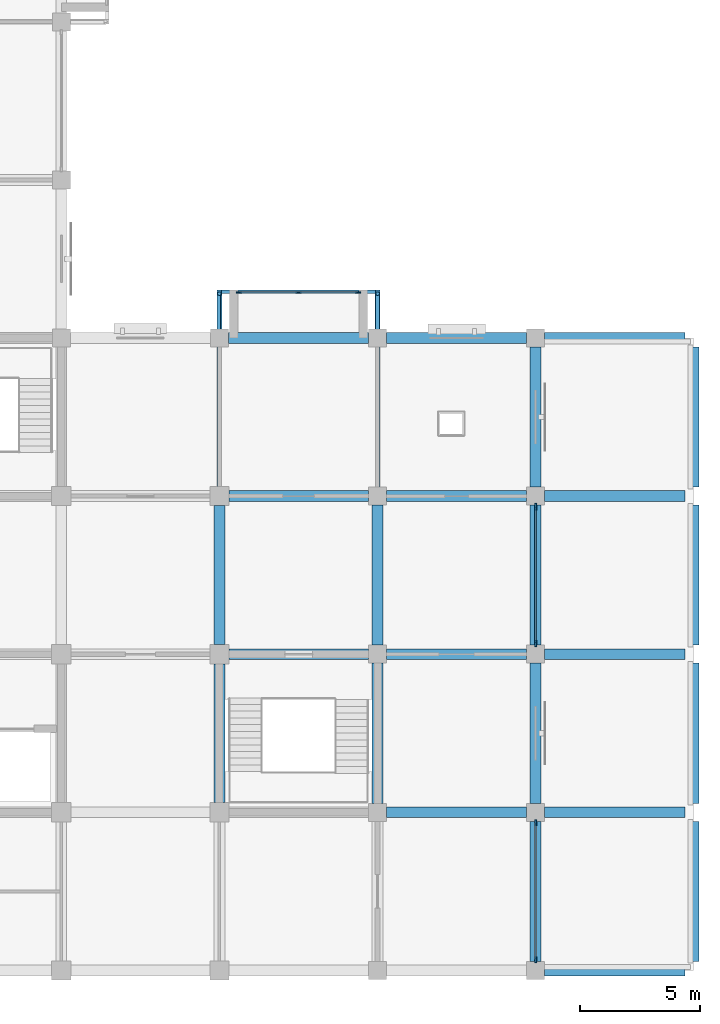
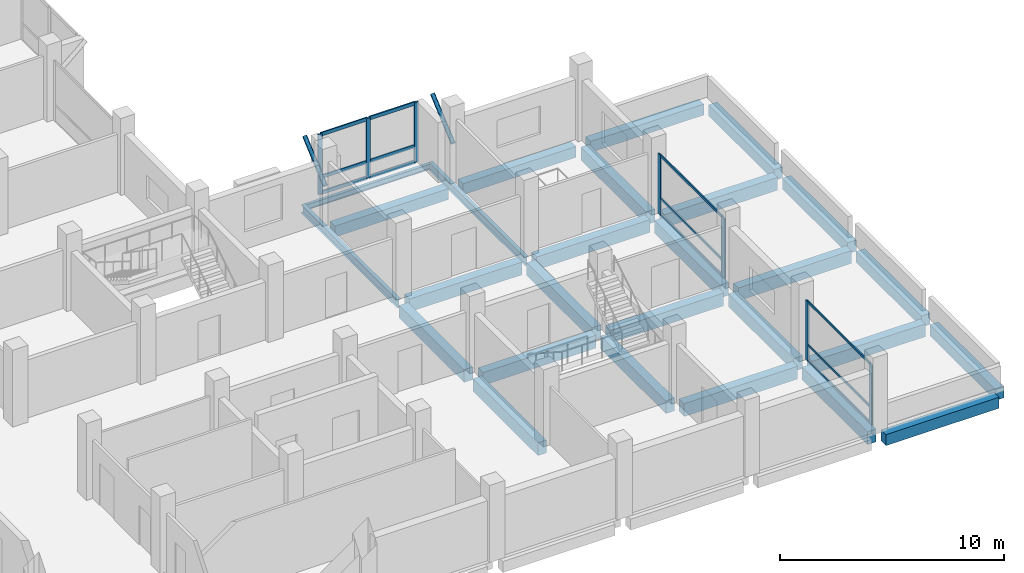
# One storey, part 2 of 15: 27 beams, 21 members, 3 elements without a shape of their own.
"""IFC4 building model written with IfcOpenShell, lengths in metres."""

from ifc_helpers import new_model, si_unit, direction, frame, origin, origin_2d, place, context, subcontext, project, spatial, rectangle, hollow_circle, i_section, extrude, material, material_profile, profile_set, type_object, element, aggregate, save


model = new_model("IFC4")

# Units and contexts
model_context = context("Model", 3, precision=1e-05, world=origin(), true_north=direction((0.0, 1.0)))
body_context = subcontext(model_context, "Body", "Model", "MODEL_VIEW")
ifc_project = project(units=[si_unit("LENGTHUNIT", "METRE"), si_unit("AREAUNIT", "SQUARE_METRE"), si_unit("VOLUMEUNIT", "CUBIC_METRE"), si_unit("PLANEANGLEUNIT", "RADIAN"), si_unit("MASSUNIT", "GRAM", prefix="KILO")], contexts=[model_context])

# Site, building, storey
site_placement = place(None, origin())
site = spatial("IfcSite", under=ifc_project, at=site_placement, CompositionType="ELEMENT")
building_placement = place(site_placement, origin())
building = spatial("IfcBuilding", under=site, at=building_placement, Name="Rusizi Kubbe Research Institute", CompositionType="ELEMENT")
storey_placement = place(building_placement, frame((0.0, 0.0, 27.0)))
storey = spatial("IfcBuildingStorey", under=building, at=storey_placement, Name="L06", CompositionType="ELEMENT", Elevation=27.0)

# Beams
ifc_material_1 = material(Name="Steel S355", Category="steel")
ifc_material_profile_1 = material_profile(ifc_material_1, i_section(OverallWidth=0.14990234375, OverallDepth=0.300048828125, WebThickness=0.007080078125, FlangeThickness=0.0107421875, at=origin_2d()), Name="IPE 300")
ifc_profile_set_1 = profile_set([ifc_material_profile_1], Name="Steel S355")
beam_type_1 = type_object("IfcBeamType", Name="BM-IPE300", PredefinedType="BEAM", material=ifc_profile_set_1)
beam_1_placement = place(storey_placement, frame((33.094970703125, 28.324951171875, -0.47998046875), z_axis=(1.0, 0.0, 0.0), x_axis=(0.0, 1.0, 0.0)))
element("IfcBeam", 1, at=beam_1_placement, inside=storey, type_object=beam_type_1, Name="Cumba Edge Tie Beam L06-3", PredefinedType="BEAM", context=body_context, shape_type="SweptSolid", body=[
    extrude(i_section(OverallWidth=0.14990234375, OverallDepth=0.300048828125, WebThickness=0.007080078125, FlangeThickness=0.0107421875, at=origin_2d()), origin(), (0.0, 0.0, 1.0), 6.409912109375),
])
ifc_material_2 = material(Name="Steel S355", Category="steel")
ifc_material_profile_2 = material_profile(ifc_material_2, i_section(OverallWidth=0.18994140625, OverallDepth=0.449951171875, WebThickness=0.009521484375, FlangeThickness=0.0146484375, at=origin_2d()), Name="IPE 450")
ifc_profile_set_2 = profile_set([ifc_material_profile_2], Name="Steel S355")
beam_type_2 = type_object("IfcBeamType", Name="BM-IPE450", PredefinedType="BEAM", material=ifc_profile_set_2)
for number, where, z_axis, x_axis, name in (
    (2, (33.0, 19.800048828125, -0.554931640625), (0.0, 1.0, 0.0), (-1.0, 0.0, 0.0), "Cumba Back-Spanned Cantilever Beam L06-3W"),
    (3, (39.60009765625, 19.800048828125, -0.554931640625), (0.0, 1.0, 0.0), (-1.0, 0.0, 0.0), "Cumba Back-Spanned Cantilever Beam L06-3E"),
):
    element("IfcBeam", number, at=place(storey_placement, frame(where, z_axis=z_axis, x_axis=x_axis)), inside=storey, type_object=beam_type_2, Name=name, PredefinedType="BEAM", context=body_context, shape_type="SweptSolid", body=[
        extrude(i_section(OverallWidth=0.18994140625, OverallDepth=0.449951171875, WebThickness=0.009521484375, FlangeThickness=0.0146484375, at=origin_2d()), origin(), (0.0, 0.0, 1.0), 8.599853515625),
    ])
ifc_material_3 = material(Name="Concrete C40/50", Category="concrete")
ifc_material_profile_3 = material_profile(ifc_material_3, rectangle(XDim=0.449951171875, YDim=0.60009765625, at=origin_2d()), Name="RC450x600")
ifc_profile_set_3 = profile_set([ifc_material_profile_3], Name="Concrete C40/50")
beam_type_3 = type_object("IfcBeamType", Name="BM-RC450x600", PredefinedType="SPANDREL", material=ifc_profile_set_3)
beam_2_placement = place(storey_placement, frame((33.375, 26.39990234375, -0.6298828125), z_axis=(1.0, 0.0, 0.0), x_axis=(0.0, 1.0, 0.0)))
element("IfcBeam", 4, at=beam_2_placement, inside=storey, type_object=beam_type_3, Name="Grid Beam H L06 (5,4)", PredefinedType="SPANDREL", context=body_context, shape_type="SweptSolid", body=[
    extrude(rectangle(XDim=0.449951171875, YDim=0.60009765625, at=origin_2d()), origin(), (0.0, 0.0, 1.0), 5.85009765625),
])
beam_3_placement = place(storey_placement, frame((39.97509765625, 26.39990234375, -0.6298828125), z_axis=(1.0, 0.0, 0.0), x_axis=(0.0, 1.0, 0.0)))
element("IfcBeam", 5, at=beam_3_placement, inside=storey, type_object=beam_type_3, Name="Grid Beam H L06 (6,4)", PredefinedType="SPANDREL", context=body_context, shape_type="SweptSolid", body=[
    extrude(rectangle(XDim=0.449951171875, YDim=0.60009765625, at=origin_2d()), origin(), (0.0, 0.0, 1.0), 5.849853515625),
])
for number, where, z_axis, x_axis, name in (
    (6, (46.574951171875, 0.0, -0.6298828125), (1.0, 0.0, 0.0), (0.0, 1.0, 0.0), "Grid Beam H L06 (7,0)"),
    (7, (46.574951171875, 26.39990234375, -0.6298828125), (1.0, 0.0, 0.0), (0.0, 1.0, 0.0), "Grid Beam H L06 (7,4)"),
    (8, (52.800048828125, 0.375, -0.6298828125), (0.0, 1.0, 0.0), (-1.0, 0.0, 0.0), "Grid Beam V L06 (8,0)"),
):
    element("IfcBeam", number, at=place(storey_placement, frame(where, z_axis=z_axis, x_axis=x_axis)), inside=storey, type_object=beam_type_3, Name=name, PredefinedType="SPANDREL", context=body_context, shape_type="SweptSolid", body=[
        extrude(rectangle(XDim=0.449951171875, YDim=0.60009765625, at=origin_2d()), origin(), (0.0, 0.0, 1.0), 5.85009765625),
    ])
beam_4_placement = place(storey_placement, frame((52.800048828125, 6.97509765625, -0.6298828125), z_axis=(0.0, 1.0, 0.0), x_axis=(-1.0, 0.0, 0.0)))
element("IfcBeam", 9, at=beam_4_placement, inside=storey, type_object=beam_type_3, Name="Grid Beam V L06 (8,1)", PredefinedType="SPANDREL", context=body_context, shape_type="SweptSolid", body=[
    extrude(rectangle(XDim=0.449951171875, YDim=0.60009765625, at=origin_2d()), origin(), (0.0, 0.0, 1.0), 5.849853515625),
])
beam_5_placement = place(storey_placement, frame((52.800048828125, 13.574951171875, -0.6298828125), z_axis=(0.0, 1.0, 0.0), x_axis=(-1.0, 0.0, 0.0)))
element("IfcBeam", 10, at=beam_5_placement, inside=storey, type_object=beam_type_3, Name="Grid Beam V L06 (8,2)", PredefinedType="SPANDREL", context=body_context, shape_type="SweptSolid", body=[
    extrude(rectangle(XDim=0.449951171875, YDim=0.60009765625, at=origin_2d()), origin(), (0.0, 0.0, 1.0), 5.85009765625),
])
beam_6_placement = place(storey_placement, frame((52.800048828125, 20.175048828125, -0.6298828125), z_axis=(0.0, 1.0, 0.0), x_axis=(-1.0, 0.0, 0.0)))
element("IfcBeam", 11, at=beam_6_placement, inside=storey, type_object=beam_type_3, Name="Grid Beam V L06 (8,3)", PredefinedType="SPANDREL", context=body_context, shape_type="SweptSolid", body=[
    extrude(rectangle(XDim=0.449951171875, YDim=0.60009765625, at=origin_2d()), origin(), (0.0, 0.0, 1.0), 5.849853515625),
])
ifc_material_4 = material(Name="Concrete C40/50", Category="concrete")
ifc_material_profile_4 = material_profile(ifc_material_4, rectangle(XDim=0.449951171875, YDim=0.699951171875, at=origin_2d()), Name="RC450x700B")
ifc_profile_set_4 = profile_set([ifc_material_profile_4], Name="Concrete C40/50")
beam_type_4 = type_object("IfcBeamType", Name="BM-RC450x700", PredefinedType="BEAM", material=ifc_profile_set_4)
for number, where, z_axis, x_axis, name in (
    (12, (33.39990234375, 13.199951171875, -0.679931640625), (1.0, 0.0, 0.0), (0.0, 1.0, 0.0), "Grid Beam H L06 (5,2)"),
    (13, (33.39990234375, 19.800048828125, -0.679931640625), (1.0, 0.0, 0.0), (0.0, 1.0, 0.0), "Grid Beam H L06 (5,3)"),
):
    element("IfcBeam", number, at=place(storey_placement, frame(where, z_axis=z_axis, x_axis=x_axis)), inside=storey, type_object=beam_type_4, Name=name, PredefinedType="BEAM", context=body_context, shape_type="SweptSolid", body=[
        extrude(rectangle(XDim=0.449951171875, YDim=0.699951171875, at=origin_2d()), origin(), (0.0, 0.0, 1.0), 5.8251953125),
    ])
for number, where, z_axis, x_axis, name in (
    (14, (39.97509765625, 6.60009765625, -0.679931640625), (1.0, 0.0, 0.0), (0.0, 1.0, 0.0), "Grid Beam H L06 (6,1)"),
    (15, (39.97509765625, 13.199951171875, -0.679931640625), (1.0, 0.0, 0.0), (0.0, 1.0, 0.0), "Grid Beam H L06 (6,2)"),
    (16, (39.97509765625, 19.800048828125, -0.679931640625), (1.0, 0.0, 0.0), (0.0, 1.0, 0.0), "Grid Beam H L06 (6,3)"),
):
    element("IfcBeam", number, at=place(storey_placement, frame(where, z_axis=z_axis, x_axis=x_axis)), inside=storey, type_object=beam_type_4, Name=name, PredefinedType="BEAM", context=body_context, shape_type="SweptSolid", body=[
        extrude(rectangle(XDim=0.449951171875, YDim=0.699951171875, at=origin_2d()), origin(), (0.0, 0.0, 1.0), 5.849853515625),
    ])
for number, where, z_axis, x_axis, name in (
    (17, (46.574951171875, 6.60009765625, -0.679931640625), (1.0, 0.0, 0.0), (0.0, 1.0, 0.0), "Grid Beam H L06 (7,1)"),
    (18, (46.574951171875, 13.199951171875, -0.679931640625), (1.0, 0.0, 0.0), (0.0, 1.0, 0.0), "Grid Beam H L06 (7,2)"),
    (19, (46.574951171875, 19.800048828125, -0.679931640625), (1.0, 0.0, 0.0), (0.0, 1.0, 0.0), "Grid Beam H L06 (7,3)"),
):
    element("IfcBeam", number, at=place(storey_placement, frame(where, z_axis=z_axis, x_axis=x_axis)), inside=storey, type_object=beam_type_4, Name=name, PredefinedType="BEAM", context=body_context, shape_type="SweptSolid", body=[
        extrude(rectangle(XDim=0.449951171875, YDim=0.699951171875, at=origin_2d()), origin(), (0.0, 0.0, 1.0), 5.85009765625),
    ])
beam_7_placement = place(storey_placement, frame((33.0, 7.0, -0.679931640625), z_axis=(0.0, 1.0, 0.0), x_axis=(-1.0, 0.0, 0.0)))
element("IfcBeam", 20, at=beam_7_placement, inside=storey, type_object=beam_type_4, Name="Grid Beam V L06 (5,1)", PredefinedType="BEAM", context=body_context, shape_type="SweptSolid", body=[
    extrude(rectangle(XDim=0.449951171875, YDim=0.699951171875, at=origin_2d()), origin(), (0.0, 0.0, 1.0), 5.800048828125),
])
beam_8_placement = place(storey_placement, frame((33.0, 13.60009765625, -0.679931640625), z_axis=(0.0, 1.0, 0.0), x_axis=(-1.0, 0.0, 0.0)))
element("IfcBeam", 21, at=beam_8_placement, inside=storey, type_object=beam_type_4, Name="Grid Beam V L06 (5,2)", PredefinedType="BEAM", context=body_context, shape_type="SweptSolid", body=[
    extrude(rectangle(XDim=0.449951171875, YDim=0.699951171875, at=origin_2d()), origin(), (0.0, 0.0, 1.0), 5.7998046875),
])
beam_9_placement = place(storey_placement, frame((39.60009765625, 6.97509765625, -0.679931640625), z_axis=(0.0, 1.0, 0.0), x_axis=(-1.0, 0.0, 0.0)))
element("IfcBeam", 22, at=beam_9_placement, inside=storey, type_object=beam_type_4, Name="Grid Beam V L06 (6,1)", PredefinedType="BEAM", context=body_context, shape_type="SweptSolid", body=[
    extrude(rectangle(XDim=0.449951171875, YDim=0.699951171875, at=origin_2d()), origin(), (0.0, 0.0, 1.0), 5.849853515625),
])
for number, where, z_axis, x_axis, name in (
    (23, (39.60009765625, 13.574951171875, -0.679931640625), (0.0, 1.0, 0.0), (-1.0, 0.0, 0.0), "Grid Beam V L06 (6,2)"),
    (24, (46.199951171875, 0.375, -0.679931640625), (0.0, 1.0, 0.0), (-1.0, 0.0, 0.0), "Grid Beam V L06 (7,0)"),
):
    element("IfcBeam", number, at=place(storey_placement, frame(where, z_axis=z_axis, x_axis=x_axis)), inside=storey, type_object=beam_type_4, Name=name, PredefinedType="BEAM", context=body_context, shape_type="SweptSolid", body=[
        extrude(rectangle(XDim=0.449951171875, YDim=0.699951171875, at=origin_2d()), origin(), (0.0, 0.0, 1.0), 5.85009765625),
    ])
beam_10_placement = place(storey_placement, frame((46.199951171875, 6.97509765625, -0.679931640625), z_axis=(0.0, 1.0, 0.0), x_axis=(-1.0, 0.0, 0.0)))
element("IfcBeam", 25, at=beam_10_placement, inside=storey, type_object=beam_type_4, Name="Grid Beam V L06 (7,1)", PredefinedType="BEAM", context=body_context, shape_type="SweptSolid", body=[
    extrude(rectangle(XDim=0.449951171875, YDim=0.699951171875, at=origin_2d()), origin(), (0.0, 0.0, 1.0), 5.849853515625),
])
beam_11_placement = place(storey_placement, frame((46.199951171875, 13.574951171875, -0.679931640625), z_axis=(0.0, 1.0, 0.0), x_axis=(-1.0, 0.0, 0.0)))
element("IfcBeam", 26, at=beam_11_placement, inside=storey, type_object=beam_type_4, Name="Grid Beam V L06 (7,2)", PredefinedType="BEAM", context=body_context, shape_type="SweptSolid", body=[
    extrude(rectangle(XDim=0.449951171875, YDim=0.699951171875, at=origin_2d()), origin(), (0.0, 0.0, 1.0), 5.85009765625),
])
beam_12_placement = place(storey_placement, frame((46.199951171875, 20.175048828125, -0.679931640625), z_axis=(0.0, 1.0, 0.0), x_axis=(-1.0, 0.0, 0.0)))
element("IfcBeam", 27, at=beam_12_placement, inside=storey, type_object=beam_type_4, Name="Grid Beam V L06 (7,3)", PredefinedType="BEAM", context=body_context, shape_type="SweptSolid", body=[
    extrude(rectangle(XDim=0.449951171875, YDim=0.699951171875, at=origin_2d()), origin(), (0.0, 0.0, 1.0), 5.849853515625),
])

# Members
ifc_material_5 = material(Name="Steel S355", Category="steel")
ifc_material_profile_5 = material_profile(ifc_material_5, hollow_circle(Radius=0.109619140625, WallThickness=0.008056640625, at=origin_2d()), Name="CHS 219.1x8.0")
ifc_profile_set_5 = profile_set([ifc_material_profile_5], Name="Steel S355")
member_type_1 = type_object("IfcMemberType", Name="MB-CHS219", PredefinedType="BRACE", material=ifc_profile_set_5)
for number, where, z_axis, x_axis, name in (
    (28, (33.0, 26.39990234375, 1.8701171875), (0.0, 0.756409887843, 0.654097914362), (-1.0, 0.0, 0.0), "Cumba Diagonal Corbel Brace L07-3W"),
    (29, (39.60009765625, 26.39990234375, 1.8701171875), (0.0, 0.756409887843, 0.654097914362), (-1.0, 0.0, 0.0), "Cumba Diagonal Corbel Brace L07-3E"),
):
    element("IfcMember", number, at=place(storey_placement, frame(where, z_axis=z_axis, x_axis=x_axis)), inside=storey, type_object=member_type_1, Name=name, PredefinedType="BRACE", context=body_context, shape_type="SweptSolid", body=[
        extrude(hollow_circle(Radius=0.109619140625, WallThickness=0.008056640625, at=origin_2d()), origin(), (0.0, 0.0, 1.0), 2.44580078125),
    ])

# Curtain wall, members
ifc_material_6 = material(Name="Thermally Broken Aluminium and Low-E Glazing", Category="aluminium")
curtain_wall_type_1 = type_object("IfcCurtainWallType", Name="CW-02", PredefinedType="NOTDEFINED", material=ifc_material_6)
curtain_wall_1_placement = place(storey_placement, origin())
curtain_wall_1 = element("IfcCurtainWall", 30, at=curtain_wall_1_placement, inside=storey, type_object=curtain_wall_type_1, Name="Cumba Glazed Curtain Wall CW-CUMBA-L06-075", PredefinedType="NOTDEFINED")
ifc_material_7 = material(Name="Aluminium Alloy 6063-T6", Category="aluminium")
ifc_material_profile_6 = material_profile(ifc_material_7, rectangle(XDim=0.070068359375, YDim=0.219970703125, at=origin_2d()), Name="ALU-M 70x220")
ifc_profile_set_6 = profile_set([ifc_material_profile_6], Name="Aluminium Alloy 6063-T6")
member_type_2 = type_object("IfcMemberType", Name="ML-04", PredefinedType="MULLION", material=ifc_profile_set_6)
member_1_placement = place(storey_placement, frame((33.8173828125, 28.300048828125, 0.0), z_axis=(0.0, 0.0, 1.0), x_axis=(0.0, 1.0, 0.0)))
member_1 = element("IfcMember", 31, at=member_1_placement, type_object=member_type_2, Name="CW-02 mullion 1", PredefinedType="MULLION", context=body_context, shape_type="SweptSolid", body=[
    extrude(rectangle(XDim=0.070068359375, YDim=0.219970703125, at=origin_2d()), origin(), (0.0, 0.0, 1.0), 3.27001953125),
])
member_2_placement = place(storey_placement, frame((36.300048828125, 28.300048828125, 0.0), z_axis=(0.0, 0.0, 1.0), x_axis=(0.0, 1.0, 0.0)))
member_2 = element("IfcMember", 32, at=member_2_placement, type_object=member_type_2, Name="CW-02 mullion 2", PredefinedType="MULLION", context=body_context, shape_type="SweptSolid", body=[
    extrude(rectangle(XDim=0.070068359375, YDim=0.219970703125, at=origin_2d()), origin(), (0.0, 0.0, 1.0), 3.27001953125),
])
member_3_placement = place(storey_placement, frame((38.782470703125, 28.300048828125, 0.0), z_axis=(0.0, 0.0, 1.0), x_axis=(0.0, 1.0, 0.0)))
member_3 = element("IfcMember", 33, at=member_3_placement, type_object=member_type_2, Name="CW-02 mullion 3", PredefinedType="MULLION", context=body_context, shape_type="SweptSolid", body=[
    extrude(rectangle(XDim=0.070068359375, YDim=0.219970703125, at=origin_2d()), origin(), (0.0, 0.0, 1.0), 3.27001953125),
])

ifc_material_8 = material(Name="Thermally Broken Aluminium and Low-E Glazing", Category="aluminium")
curtain_wall_type_2 = type_object("IfcCurtainWallType", Name="CW-08", PredefinedType="NOTDEFINED", material=ifc_material_8)
curtain_wall_2_placement = place(storey_placement, origin())
curtain_wall_2 = element("IfcCurtainWall", 34, at=curtain_wall_2_placement, inside=storey, type_object=curtain_wall_type_2, Name="Unitised Facade Curtain Wall CW-L06-V-07-00", PredefinedType="NOTDEFINED")
ifc_material_9 = material(Name="Aluminium Alloy 6063-T6", Category="aluminium")
ifc_material_profile_7 = material_profile(ifc_material_9, rectangle(XDim=0.074951171875, YDim=0.25, at=origin_2d()), Name="ALU-M 75x250")
ifc_profile_set_7 = profile_set([ifc_material_profile_7], Name="Aluminium Alloy 6063-T6")
member_type_3 = type_object("IfcMemberType", Name="ML-05", PredefinedType="MULLION", material=ifc_profile_set_7)
member_4_placement = place(storey_placement, frame((46.199951171875, 0.4423828125, 0.0), z_axis=(0.0, 0.0, 1.0), x_axis=(-1.0, 0.0, 0.0)))
member_4 = element("IfcMember", 35, at=member_4_placement, type_object=member_type_3, Name="CW-08 mullion 1", PredefinedType="MULLION", context=body_context, shape_type="SweptSolid", body=[
    extrude(rectangle(XDim=0.074951171875, YDim=0.25, at=origin_2d()), origin(), (0.0, 0.0, 1.0), 3.27001953125),
])
member_5_placement = place(storey_placement, frame((46.199951171875, 6.157470703125, 0.0), z_axis=(0.0, 0.0, 1.0), x_axis=(-1.0, 0.0, 0.0)))
member_5 = element("IfcMember", 36, at=member_5_placement, type_object=member_type_3, Name="CW-08 mullion 2", PredefinedType="MULLION", context=body_context, shape_type="SweptSolid", body=[
    extrude(rectangle(XDim=0.074951171875, YDim=0.25, at=origin_2d()), origin(), (0.0, 0.0, 1.0), 3.27001953125),
])

ifc_material_10 = material(Name="Thermally Broken Aluminium and Low-E Glazing", Category="aluminium")
curtain_wall_type_3 = type_object("IfcCurtainWallType", Name="CW-09", PredefinedType="NOTDEFINED", material=ifc_material_10)
curtain_wall_3_placement = place(storey_placement, origin())
curtain_wall_3 = element("IfcCurtainWall", 37, at=curtain_wall_3_placement, inside=storey, type_object=curtain_wall_type_3, Name="Unitised Facade Curtain Wall CW-L06-V-07-02", PredefinedType="NOTDEFINED")
ifc_material_11 = material(Name="Aluminium Alloy 6063-T6", Category="aluminium")
ifc_material_profile_8 = material_profile(ifc_material_11, rectangle(XDim=0.080078125, YDim=0.280029296875, at=origin_2d()), Name="ALU-M 80x280")
ifc_profile_set_8 = profile_set([ifc_material_profile_8], Name="Aluminium Alloy 6063-T6")
member_type_4 = type_object("IfcMemberType", Name="ML-06", PredefinedType="MULLION", material=ifc_profile_set_8)
member_6_placement = place(storey_placement, frame((46.199951171875, 13.64501953125, 0.0), z_axis=(0.0, 0.0, 1.0), x_axis=(-1.0, 0.0, 0.0)))
member_6 = element("IfcMember", 38, at=member_6_placement, type_object=member_type_4, Name="CW-09 mullion 1", PredefinedType="MULLION", context=body_context, shape_type="SweptSolid", body=[
    extrude(rectangle(XDim=0.080078125, YDim=0.280029296875, at=origin_2d()), origin(), (0.0, 0.0, 1.0), 3.27001953125),
])
member_7_placement = place(storey_placement, frame((46.199951171875, 19.35498046875, 0.0), z_axis=(0.0, 0.0, 1.0), x_axis=(-1.0, 0.0, 0.0)))
member_7 = element("IfcMember", 39, at=member_7_placement, type_object=member_type_4, Name="CW-09 mullion 2", PredefinedType="MULLION", context=body_context, shape_type="SweptSolid", body=[
    extrude(rectangle(XDim=0.080078125, YDim=0.280029296875, at=origin_2d()), origin(), (0.0, 0.0, 1.0), 3.27001953125),
])

# Member
ifc_material_12 = material(Name="Aluminium Alloy 6063-T6", Category="aluminium")
ifc_material_profile_9 = material_profile(ifc_material_12, rectangle(XDim=0.06005859375, YDim=0.1201171875, at=origin_2d()), Name="ALU-T 60x120")
ifc_profile_set_9 = profile_set([ifc_material_profile_9], Name="Aluminium Alloy 6063-T6")
member_type_5 = type_object("IfcMemberType", Name="TR-01", PredefinedType="USERDEFINED", material=ifc_profile_set_9)
member_8_placement = place(storey_placement, frame((46.199951171875, 0.47998046875, 0.030029296875), z_axis=(0.0, 1.0, 0.0), x_axis=(-1.0, 0.0, 0.0)))
member_8 = element("IfcMember", 40, at=member_8_placement, type_object=member_type_5, Name="CW-08 transom 1.1", ObjectType="TRANSOM", PredefinedType="USERDEFINED", context=body_context, shape_type="SweptSolid", body=[
    extrude(rectangle(XDim=0.06005859375, YDim=0.1201171875, at=origin_2d()), origin(), (0.0, 0.0, 1.0), 5.64013671875),
])

member_9_placement = place(storey_placement, frame((46.199951171875, 0.47998046875, 0.89990234375), z_axis=(0.0, 1.0, 0.0), x_axis=(-1.0, 0.0, 0.0)))
member_9 = element("IfcMember", 41, at=member_9_placement, type_object=member_type_5, Name="CW-08 transom 1.2", ObjectType="TRANSOM", PredefinedType="USERDEFINED", context=body_context, shape_type="SweptSolid", body=[
    extrude(rectangle(XDim=0.06005859375, YDim=0.1201171875, at=origin_2d()), origin(), (0.0, 0.0, 1.0), 5.64013671875),
])

member_10_placement = place(storey_placement, frame((46.199951171875, 0.47998046875, 3.239990234375), z_axis=(0.0, 1.0, 0.0), x_axis=(-1.0, 0.0, 0.0)))
member_10 = element("IfcMember", 42, at=member_10_placement, type_object=member_type_5, Name="CW-08 transom 1.3", ObjectType="TRANSOM", PredefinedType="USERDEFINED", context=body_context, shape_type="SweptSolid", body=[
    extrude(rectangle(XDim=0.06005859375, YDim=0.1201171875, at=origin_2d()), origin(), (0.0, 0.0, 1.0), 5.64013671875),
])

aggregate(curtain_wall_2, [member_4, member_5, member_8, member_9, member_10])

ifc_material_13 = material(Name="Aluminium Alloy 6063-T6", Category="aluminium")
ifc_material_profile_10 = material_profile(ifc_material_13, rectangle(XDim=0.06005859375, YDim=0.139892578125, at=origin_2d()), Name="ALU-T 60x140")
ifc_profile_set_10 = profile_set([ifc_material_profile_10], Name="Aluminium Alloy 6063-T6")
member_type_6 = type_object("IfcMemberType", Name="TR-02", PredefinedType="USERDEFINED", material=ifc_profile_set_10)
member_11_placement = place(storey_placement, frame((46.199951171875, 13.68505859375, 0.030029296875), z_axis=(0.0, 1.0, 0.0), x_axis=(-1.0, 0.0, 0.0)))
member_11 = element("IfcMember", 43, at=member_11_placement, type_object=member_type_6, Name="CW-09 transom 1.1", ObjectType="TRANSOM", PredefinedType="USERDEFINED", context=body_context, shape_type="SweptSolid", body=[
    extrude(rectangle(XDim=0.06005859375, YDim=0.139892578125, at=origin_2d()), origin(), (0.0, 0.0, 1.0), 5.6298828125),
])

member_12_placement = place(storey_placement, frame((46.199951171875, 13.68505859375, 0.89990234375), z_axis=(0.0, 1.0, 0.0), x_axis=(-1.0, 0.0, 0.0)))
member_12 = element("IfcMember", 44, at=member_12_placement, type_object=member_type_6, Name="CW-09 transom 1.2", ObjectType="TRANSOM", PredefinedType="USERDEFINED", context=body_context, shape_type="SweptSolid", body=[
    extrude(rectangle(XDim=0.06005859375, YDim=0.139892578125, at=origin_2d()), origin(), (0.0, 0.0, 1.0), 5.6298828125),
])

member_13_placement = place(storey_placement, frame((46.199951171875, 13.68505859375, 3.239990234375), z_axis=(0.0, 1.0, 0.0), x_axis=(-1.0, 0.0, 0.0)))
member_13 = element("IfcMember", 45, at=member_13_placement, type_object=member_type_6, Name="CW-09 transom 1.3", ObjectType="TRANSOM", PredefinedType="USERDEFINED", context=body_context, shape_type="SweptSolid", body=[
    extrude(rectangle(XDim=0.06005859375, YDim=0.139892578125, at=origin_2d()), origin(), (0.0, 0.0, 1.0), 5.6298828125),
])

aggregate(curtain_wall_3, [member_6, member_7, member_11, member_12, member_13])

ifc_material_14 = material(Name="Aluminium Alloy 6063-T6", Category="aluminium")
ifc_material_profile_11 = material_profile(ifc_material_14, rectangle(XDim=0.070068359375, YDim=0.18994140625, at=origin_2d()), Name="ALU-T 70x190")
ifc_profile_set_11 = profile_set([ifc_material_profile_11], Name="Aluminium Alloy 6063-T6")
member_type_7 = type_object("IfcMemberType", Name="TR-04", PredefinedType="USERDEFINED", material=ifc_profile_set_11)
member_14_placement = place(storey_placement, frame((33.8525390625, 28.300048828125, 0.034912109375), z_axis=(1.0, 0.0, 0.0), x_axis=(0.0, 1.0, 0.0)))
member_14 = element("IfcMember", 46, at=member_14_placement, type_object=member_type_7, Name="CW-02 transom 1.1", ObjectType="TRANSOM", PredefinedType="USERDEFINED", context=body_context, shape_type="SweptSolid", body=[
    extrude(rectangle(XDim=0.070068359375, YDim=0.18994140625, at=origin_2d()), origin(), (0.0, 0.0, 1.0), 2.412353515625),
])

member_15_placement = place(storey_placement, frame((33.8525390625, 28.300048828125, 0.89990234375), z_axis=(1.0, 0.0, 0.0), x_axis=(0.0, 1.0, 0.0)))
member_15 = element("IfcMember", 47, at=member_15_placement, type_object=member_type_7, Name="CW-02 transom 1.2", ObjectType="TRANSOM", PredefinedType="USERDEFINED", context=body_context, shape_type="SweptSolid", body=[
    extrude(rectangle(XDim=0.070068359375, YDim=0.18994140625, at=origin_2d()), origin(), (0.0, 0.0, 1.0), 2.412353515625),
])

member_16_placement = place(storey_placement, frame((33.8525390625, 28.300048828125, 3.235107421875), z_axis=(1.0, 0.0, 0.0), x_axis=(0.0, 1.0, 0.0)))
member_16 = element("IfcMember", 48, at=member_16_placement, type_object=member_type_7, Name="CW-02 transom 1.3", ObjectType="TRANSOM", PredefinedType="USERDEFINED", context=body_context, shape_type="SweptSolid", body=[
    extrude(rectangle(XDim=0.070068359375, YDim=0.18994140625, at=origin_2d()), origin(), (0.0, 0.0, 1.0), 2.412353515625),
])

member_17_placement = place(storey_placement, frame((36.3349609375, 28.300048828125, 0.034912109375), z_axis=(1.0, 0.0, 0.0), x_axis=(0.0, 1.0, 0.0)))
member_17 = element("IfcMember", 49, at=member_17_placement, type_object=member_type_7, Name="CW-02 transom 2.1", ObjectType="TRANSOM", PredefinedType="USERDEFINED", context=body_context, shape_type="SweptSolid", body=[
    extrude(rectangle(XDim=0.070068359375, YDim=0.18994140625, at=origin_2d()), origin(), (0.0, 0.0, 1.0), 2.41259765625),
])

member_18_placement = place(storey_placement, frame((36.3349609375, 28.300048828125, 0.89990234375), z_axis=(1.0, 0.0, 0.0), x_axis=(0.0, 1.0, 0.0)))
member_18 = element("IfcMember", 50, at=member_18_placement, type_object=member_type_7, Name="CW-02 transom 2.2", ObjectType="TRANSOM", PredefinedType="USERDEFINED", context=body_context, shape_type="SweptSolid", body=[
    extrude(rectangle(XDim=0.070068359375, YDim=0.18994140625, at=origin_2d()), origin(), (0.0, 0.0, 1.0), 2.41259765625),
])

member_19_placement = place(storey_placement, frame((36.3349609375, 28.300048828125, 3.235107421875), z_axis=(1.0, 0.0, 0.0), x_axis=(0.0, 1.0, 0.0)))
member_19 = element("IfcMember", 51, at=member_19_placement, type_object=member_type_7, Name="CW-02 transom 2.3", ObjectType="TRANSOM", PredefinedType="USERDEFINED", context=body_context, shape_type="SweptSolid", body=[
    extrude(rectangle(XDim=0.070068359375, YDim=0.18994140625, at=origin_2d()), origin(), (0.0, 0.0, 1.0), 2.41259765625),
])

aggregate(curtain_wall_1, [member_1, member_2, member_3, member_14, member_15, member_16, member_17, member_18, member_19])

save(model, "model.ifc")
